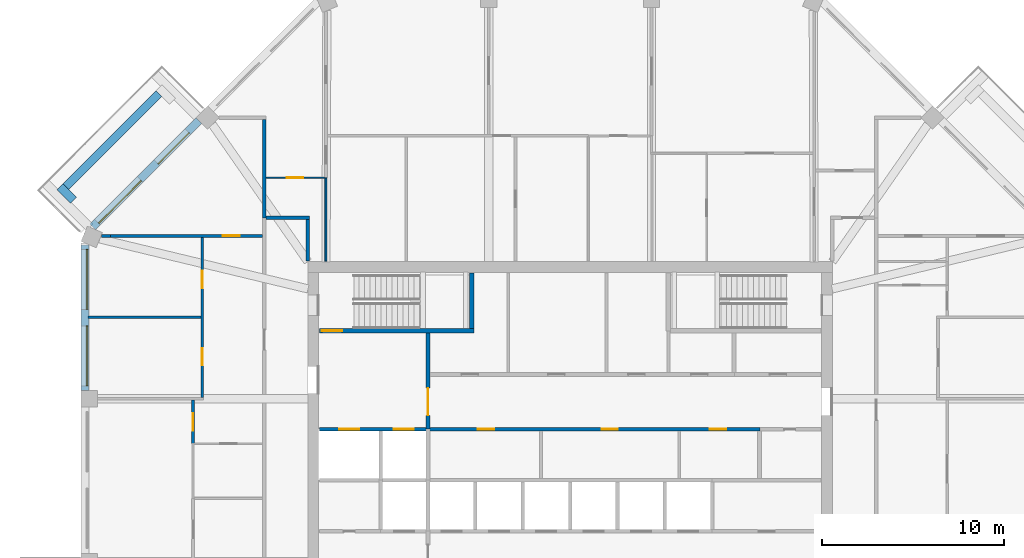
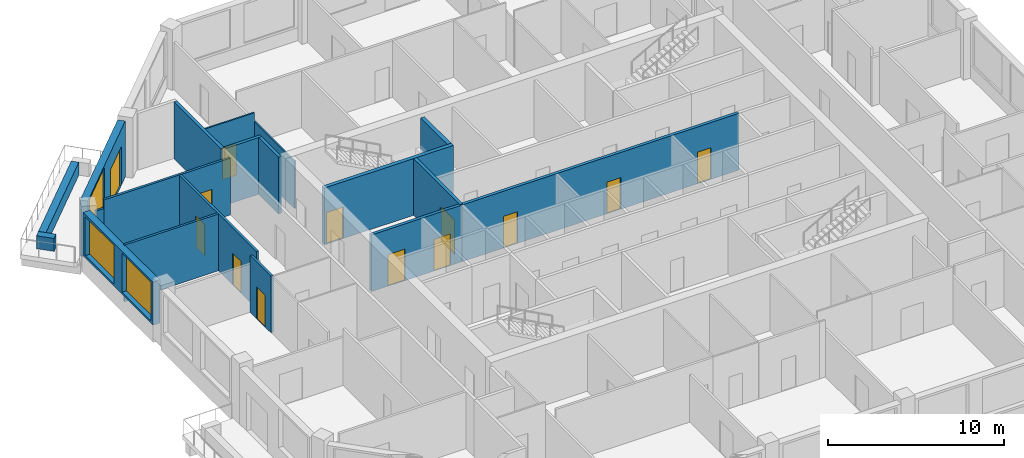
# One storey, part 7 of 11: 19 walls, 13 doors, 3 windows, 16 openings.
"""IFC4 building model written with IfcOpenShell, lengths in metres."""

from ifc_helpers import new_model, si_unit, direction, frame, frame_2d, origin, place, context, subcontext, project, spatial, rectangle, extrude, material, layer, layer_set, type_object, element, fill, save


model = new_model("IFC4")

# Units and contexts
model_context = context("Model", 3, precision=1e-05, world=origin(), true_north=direction((0.0, 1.0)))
body_context = subcontext(model_context, "Body", "Model", "MODEL_VIEW")
ifc_project = project(units=[si_unit("LENGTHUNIT", "METRE"), si_unit("AREAUNIT", "SQUARE_METRE"), si_unit("VOLUMEUNIT", "CUBIC_METRE"), si_unit("PLANEANGLEUNIT", "RADIAN"), si_unit("MASSUNIT", "GRAM", prefix="KILO")], contexts=[model_context])

# Site, building, storey
site_placement = place(None, origin())
site = spatial("IfcSite", under=ifc_project, at=site_placement, CompositionType="ELEMENT")
building_placement = place(site_placement, origin())
building = spatial("IfcBuilding", under=site, at=building_placement, Name="Msitu Wima Residences", CompositionType="ELEMENT")
storey_placement = place(building_placement, frame((0.0, 0.0, 293.699951171875)))
storey = spatial("IfcBuildingStorey", under=building, at=storey_placement, Name="L68", CompositionType="ELEMENT", Elevation=293.699951171875)

# Walls
ifc_material_1 = material(Name="Facing brick")
ifc_layer_1 = layer(ifc_material_1, 0.06494140625, Name="Facing brick")
ifc_material_2 = material(Name="Concrete C40/50", Category="concrete")
ifc_layer_2 = layer(ifc_material_2, 0.156005859375, Name="Concrete C40/50")
ifc_material_3 = material(Name="Waterproofing membrane")
ifc_layer_3 = layer(ifc_material_3, 0.00390625, Name="Waterproofing membrane")
ifc_material_4 = material(Name="Planting soil and planting")
ifc_layer_4 = layer(ifc_material_4, 0.22509765625, Name="Planting soil and planting")
ifc_layer_set_1 = layer_set([ifc_layer_1, ifc_layer_2, ifc_layer_3, ifc_layer_4], Name="Concrete C40/50")
wall_type_1 = type_object("IfcWallType", Name="Balcony planter PLANTER PL450", PredefinedType="USERDEFINED", material=ifc_layer_set_1)
wall_1_placement = place(storey_placement, frame((-22.572265625, 21.228759765625, 0.0), z_axis=(0.0, 0.0, 1.0), x_axis=(-0.707106781187, -0.707106781187, 0.0)))
element("IfcWall", 1, at=wall_1_placement, inside=storey, type_object=wall_type_1, Name="Balcony planter NW1 L68", ObjectType="PLANTER", PredefinedType="USERDEFINED", context=body_context, shape_type="SweptSolid", body=[
    extrude(rectangle(XDim=7.23828125, YDim=0.449951171875, at=frame_2d((3.619140625, 0.0))), origin(), (0.0, 0.0, 1.0), 0.900146484375),
])
wall_2_placement = place(storey_placement, frame((-27.26611328125, 15.3681640625, 0.0), z_axis=(0.0, 0.0, 1.0), x_axis=(-0.707223014731, 0.706990528533, 0.0)))
element("IfcWall", 2, at=wall_2_placement, inside=storey, type_object=wall_type_1, Name="Balcony planter NW1 L68", ObjectType="PLANTER", PredefinedType="USERDEFINED", context=body_context, shape_type="SweptSolid", body=[
    extrude(rectangle(XDim=1.050048828125, YDim=0.449951171875, at=frame_2d((0.52490234375, 0.0))), origin(), (0.0, 0.0, 1.0), 0.900146484375),
])

# Wall, openings, door, window
ifc_material_5 = material(Name="Brick (red buff mix)", Category="masonry")
ifc_layer_5 = layer(ifc_material_5, 0.449951171875)
ifc_layer_set_2 = layer_set([ifc_layer_5], Name="Brick (red buff mix)")
wall_type_2 = type_object("IfcWallType", Name="Brick infill wall BW450", PredefinedType="SOLIDWALL", material=ifc_layer_set_2)
wall_3_placement = place(storey_placement, frame((-20.380126953125, 19.743896484375, 0.0), z_axis=(0.0, 0.0, 1.0), x_axis=(-0.707106781187, -0.707106781187, 0.0)))
wall_3 = element("IfcWall", 3, at=wall_3_placement, inside=storey, type_object=wall_type_2, Name="Brick infill wall L68 NW1", PredefinedType="SOLIDWALL", context=body_context, shape_type="SweptSolid", body=[
    extrude(rectangle(XDim=8.251220703125, YDim=0.449951171875, at=frame_2d((4.12548828125, 0.0))), origin(), (0.0, 0.0, 1.0), 3.900146484375),
])
opening_1_placement = place(wall_3_placement, frame((0.86279296875, 0.0, 0.0)))
opening_1 = element("IfcOpeningElement", 4, at=opening_1_placement, cuts=wall_3, Name="Opening D68-70.004", PredefinedType="OPENING", context=body_context, shape_type="SweptSolid", body=[
    extrude(rectangle(XDim=2.39990234375, YDim=2.699951171875, at=frame_2d((1.199951171875, 1.35009765625))), frame((0.0, 0.23486328125, 0.0), z_axis=(0.0, -1.0, 0.0), x_axis=(1.0, 0.0, 0.0)), (0.0, 0.0, 1.0), 0.469970703125),
])
opening_2_placement = place(wall_3_placement, frame((4.57568359375, 0.0, 1.050048828125)))
opening_2 = element("IfcOpeningElement", 5, at=opening_2_placement, cuts=wall_3, Name="Opening W68-70.016", PredefinedType="OPENING", context=body_context, shape_type="SweptSolid", body=[
    extrude(rectangle(XDim=3.300048828125, YDim=2.699951171875, at=frame_2d((1.64990234375, 1.35009765625))), frame((0.0, 0.23486328125, 0.0), z_axis=(0.0, -1.0, 0.0), x_axis=(1.0, 0.0, 0.0)), (0.0, 0.0, 1.0), 0.469970703125),
])
ifc_material_6 = material(Name="Anodised aluminium, bronze finish, clear low-emissivity double glazing", Category="aluminium")
door_type_1 = type_object("IfcDoorType", Name="Balcony door D2400x2700", OperationType="SLIDING_TO_LEFT", PredefinedType="DOOR", material=ifc_material_6)
door_1_placement = place(opening_1_placement, origin())
door_1 = element("IfcDoor", 6, at=door_1_placement, inside=storey, type_object=door_type_1, Name="Balcony door L68 NW1", OperationType="SINGLE_SWING_LEFT", OverallHeight=2.699951171875, OverallWidth=2.39990234375, PredefinedType="DOOR", context=body_context, shape_type="SweptSolid", body=[
    extrude(rectangle(XDim=2.39990234375, YDim=2.699951171875, at=frame_2d((1.199951171875, 1.35009765625))), frame((0.0, 0.1298828125, 0.0), z_axis=(0.0, -1.0, 0.0), x_axis=(1.0, 0.0, 0.0)), (0.0, 0.0, 1.0), 0.050048828125),
])
fill(opening_1, door_1)
window_type = type_object("IfcWindowType", Name="Window W3300x2700", PartitioningType="DOUBLE_PANEL_VERTICAL", PredefinedType="WINDOW", material=ifc_material_6)
window_1_placement = place(opening_2_placement, origin())
window_1 = element("IfcWindow", 7, at=window_1_placement, inside=storey, type_object=window_type, Name="Window L68 NW1.2", OverallHeight=2.699951171875, OverallWidth=3.300048828125, PartitioningType="SINGLE_PANEL", PredefinedType="WINDOW", context=body_context, shape_type="SweptSolid", body=[
    extrude(rectangle(XDim=3.300048828125, YDim=2.699951171875, at=frame_2d((1.64990234375, 1.35009765625))), frame((0.0, 0.135009765625, 0.0), z_axis=(0.0, -1.0, 0.0), x_axis=(1.0, 0.0, 0.0)), (0.0, 0.0, 1.0), 0.06005859375),
])
fill(opening_2, window_1)

# Wall, openings, windows
wall_4_placement = place(storey_placement, frame((-26.625, 12.918701171875, 0.900146484375), z_axis=(0.0, 0.0, 1.0), x_axis=(0.0, -1.0, 0.0)))
wall_4 = element("IfcWall", 8, at=wall_4_placement, inside=storey, type_object=wall_type_2, Name="Brick infill wall L68 W0", PredefinedType="SOLIDWALL", context=body_context, shape_type="SweptSolid", body=[
    extrude(rectangle(XDim=8.0, YDim=0.449951171875, at=frame_2d((4.0, 0.0))), origin(), (0.0, 0.0, 1.0), 3.0),
])
opening_3_placement = place(wall_4_placement, frame((0.25, 0.0, 0.14990234375)))
opening_3 = element("IfcOpeningElement", 9, at=opening_3_placement, cuts=wall_4, Name="Opening W68-70.029", PredefinedType="OPENING", context=body_context, shape_type="SweptSolid", body=[
    extrude(rectangle(XDim=3.300048828125, YDim=2.699951171875, at=frame_2d((1.64990234375, 1.35009765625))), frame((0.0, 0.23486328125, 0.0), z_axis=(0.0, -1.0, 0.0), x_axis=(1.0, 0.0, 0.0)), (0.0, 0.0, 1.0), 0.469970703125),
])
opening_4_placement = place(wall_4_placement, frame((4.4501953125, 0.0, 0.14990234375)))
opening_4 = element("IfcOpeningElement", 10, at=opening_4_placement, cuts=wall_4, Name="Opening W68-70.030", PredefinedType="OPENING", context=body_context, shape_type="SweptSolid", body=[
    extrude(rectangle(XDim=3.300048828125, YDim=2.699951171875, at=frame_2d((1.64990234375, 1.35009765625))), frame((0.0, 0.23486328125, 0.0), z_axis=(0.0, -1.0, 0.0), x_axis=(1.0, 0.0, 0.0)), (0.0, 0.0, 1.0), 0.469970703125),
])
window_2_placement = place(opening_3_placement, origin())
window_2 = element("IfcWindow", 11, at=window_2_placement, inside=storey, type_object=window_type, Name="Window L68 W0.1", OverallHeight=2.699951171875, OverallWidth=3.300048828125, PartitioningType="SINGLE_PANEL", PredefinedType="WINDOW", context=body_context, shape_type="SweptSolid", body=[
    extrude(rectangle(XDim=3.300048828125, YDim=2.699951171875, at=frame_2d((1.64990234375, 1.35009765625))), frame((0.0, 0.135009765625, 0.0), z_axis=(0.0, -1.0, 0.0), x_axis=(1.0, 0.0, 0.0)), (0.0, 0.0, 1.0), 0.06005859375),
])
fill(opening_3, window_2)
window_3_placement = place(opening_4_placement, origin())
window_3 = element("IfcWindow", 12, at=window_3_placement, inside=storey, type_object=window_type, Name="Window L68 W0.2", OverallHeight=2.699951171875, OverallWidth=3.300048828125, PartitioningType="SINGLE_PANEL", PredefinedType="WINDOW", context=body_context, shape_type="SweptSolid", body=[
    extrude(rectangle(XDim=3.300048828125, YDim=2.699951171875, at=frame_2d((1.64990234375, 1.35009765625))), frame((0.0, 0.135009765625, 0.0), z_axis=(0.0, -1.0, 0.0), x_axis=(1.0, 0.0, 0.0)), (0.0, 0.0, 1.0), 0.06005859375),
])
fill(opening_4, window_3)

# Walls
ifc_material_7 = material(Name="Plaster")
ifc_layer_6 = layer(ifc_material_7, 0.011962890625, Name="Plaster")
ifc_material_8 = material(Name="Concrete blockwork", Category="masonry")
ifc_layer_7 = layer(ifc_material_8, 0.176025390625, Name="Concrete blockwork")
ifc_layer_8 = layer(ifc_material_7, 0.011962890625, Name="Plaster")
ifc_layer_set_3 = layer_set([ifc_layer_6, ifc_layer_7, ifc_layer_8], Name="Concrete blockwork")
wall_type_3 = type_object("IfcWallType", Name="Corridor wall FW200", PredefinedType="PARTITIONING", material=ifc_layer_set_3)
wall_5_placement = place(storey_placement, frame((-16.699951171875, 14.39990234375, 0.0), z_axis=(0.0, 0.0, 1.0), x_axis=(1.0, 0.0, 0.0)))
element("IfcWall", 13, at=wall_5_placement, inside=storey, type_object=wall_type_3, Name="Corridor wall", PredefinedType="PARTITIONING", context=body_context, shape_type="SweptSolid", body=[
    extrude(rectangle(XDim=2.39990234375, YDim=0.199951171875, at=frame_2d((1.199951171875, 0.0))), origin(), (0.0, 0.0, 1.0), 3.949951171875),
])
wall_6_placement = place(storey_placement, frame((-14.39990234375, 12.030029296875, 0.0), z_axis=(0.0, 0.0, 1.0), x_axis=(0.0, 1.0, 0.0)))
element("IfcWall", 14, at=wall_6_placement, inside=storey, type_object=wall_type_3, Name="Corridor wall", PredefinedType="PARTITIONING", context=body_context, shape_type="SweptSolid", body=[
    extrude(rectangle(XDim=2.27001953125, YDim=0.199951171875, at=frame_2d((1.135009765625, 0.0))), origin(), (0.0, 0.0, 1.0), 3.949951171875),
])

# Wall, openings, doors
wall_7_placement = place(storey_placement, frame((-7.820068359375, 2.800048828125, 0.0), z_axis=(0.0, 0.0, 1.0), x_axis=(1.0, 0.0, 0.0)))
wall_7 = element("IfcWall", 15, at=wall_7_placement, inside=storey, type_object=wall_type_3, Name="Corridor wall", PredefinedType="PARTITIONING", context=body_context, shape_type="SweptSolid", body=[
    extrude(rectangle(XDim=18.239990234375, YDim=0.199951171875, at=frame_2d((9.1201171875, 0.0))), origin(), (0.0, 0.0, 1.0), 3.949951171875),
])
opening_5_placement = place(wall_7_placement, frame((2.75, 0.0, 0.0)))
opening_5 = element("IfcOpeningElement", 16, at=opening_5_placement, cuts=wall_7, Name="Opening D68-70.073", PredefinedType="OPENING", context=body_context, shape_type="SweptSolid", body=[
    extrude(rectangle(XDim=0.89990234375, YDim=2.199951171875, at=frame_2d((0.449951171875, 1.10009765625))), frame((0.0, 0.10986328125, 0.0), z_axis=(0.0, -1.0, 0.0), x_axis=(1.0, 0.0, 0.0)), (0.0, 0.0, 1.0), 0.219970703125),
])
opening_6_placement = place(wall_7_placement, frame((9.550048828125, 0.0, 0.0)))
opening_6 = element("IfcOpeningElement", 17, at=opening_6_placement, cuts=wall_7, Name="Opening D68-70.074", PredefinedType="OPENING", context=body_context, shape_type="SweptSolid", body=[
    extrude(rectangle(XDim=0.89990234375, YDim=2.199951171875, at=frame_2d((0.449951171875, 1.10009765625))), frame((0.0, 0.10986328125, 0.0), z_axis=(0.0, -1.0, 0.0), x_axis=(1.0, 0.0, 0.0)), (0.0, 0.0, 1.0), 0.219970703125),
])
opening_7_placement = place(wall_7_placement, frame((15.5, 0.0, 0.0)))
opening_7 = element("IfcOpeningElement", 18, at=opening_7_placement, cuts=wall_7, Name="Opening D68-70.075", PredefinedType="OPENING", context=body_context, shape_type="SweptSolid", body=[
    extrude(rectangle(XDim=0.89990234375, YDim=2.199951171875, at=frame_2d((0.449951171875, 1.10009765625))), frame((0.0, 0.10986328125, 0.0), z_axis=(0.0, -1.0, 0.0), x_axis=(1.0, 0.0, 0.0)), (0.0, 0.0, 1.0), 0.219970703125),
])
ifc_material_9 = material(Name="Timber flush door", Category="wood")
door_type_2 = type_object("IfcDoorType", Name="Service door D05 900x2200", OperationType="SINGLE_SWING_LEFT", PredefinedType="DOOR", material=ifc_material_9)
door_2_placement = place(opening_5_placement, origin())
door_2 = element("IfcDoor", 19, at=door_2_placement, inside=storey, type_object=door_type_2, Name="Service door", OperationType="SINGLE_SWING_LEFT", OverallHeight=2.199951171875, OverallWidth=0.89990234375, PredefinedType="DOOR", context=body_context, shape_type="SweptSolid", body=[
    extrude(rectangle(XDim=0.89990234375, YDim=2.199951171875, at=frame_2d((0.449951171875, 1.10009765625))), frame((0.0, 0.02490234375, 0.0), z_axis=(0.0, -1.0, 0.0), x_axis=(1.0, 0.0, 0.0)), (0.0, 0.0, 1.0), 0.050048828125),
])
fill(opening_5, door_2)
door_3_placement = place(opening_6_placement, origin())
door_3 = element("IfcDoor", 20, at=door_3_placement, inside=storey, type_object=door_type_2, Name="Service door", OperationType="SINGLE_SWING_LEFT", OverallHeight=2.199951171875, OverallWidth=0.89990234375, PredefinedType="DOOR", context=body_context, shape_type="SweptSolid", body=[
    extrude(rectangle(XDim=0.89990234375, YDim=2.199951171875, at=frame_2d((0.449951171875, 1.10009765625))), frame((0.0, 0.02490234375, 0.0), z_axis=(0.0, -1.0, 0.0), x_axis=(1.0, 0.0, 0.0)), (0.0, 0.0, 1.0), 0.050048828125),
])
fill(opening_6, door_3)
door_4_placement = place(opening_7_placement, origin())
door_4 = element("IfcDoor", 21, at=door_4_placement, inside=storey, type_object=door_type_2, Name="Service door", OperationType="SINGLE_SWING_RIGHT", OverallHeight=2.199951171875, OverallWidth=0.89990234375, PredefinedType="DOOR", context=body_context, shape_type="SweptSolid", body=[
    extrude(rectangle(XDim=0.89990234375, YDim=2.199951171875, at=frame_2d((0.449951171875, 1.10009765625))), frame((0.0, 0.02490234375, 0.0), z_axis=(0.0, -1.0, 0.0), x_axis=(1.0, 0.0, 0.0)), (0.0, 0.0, 1.0), 0.050048828125),
])
fill(opening_7, door_4)

# Wall, opening, door
wall_8_placement = place(storey_placement, frame((-7.800048828125, 2.800048828125, 0.0), z_axis=(0.0, 0.0, 1.0), x_axis=(0.0, 1.0, 0.0)))
wall_8 = element("IfcWall", 22, at=wall_8_placement, inside=storey, type_object=wall_type_3, Name="Corridor wall", PredefinedType="PARTITIONING", context=body_context, shape_type="SweptSolid", body=[
    extrude(rectangle(XDim=5.27490234375, YDim=0.199951171875, at=frame_2d((2.637451171875, 0.0))), origin(), (0.0, 0.0, 1.0), 3.949951171875),
])
opening_8_placement = place(wall_8_placement, frame((0.75, 0.0, 0.0)))
opening_8 = element("IfcOpeningElement", 23, at=opening_8_placement, cuts=wall_8, Name="Opening D68-70.059", PredefinedType="OPENING", context=body_context, shape_type="SweptSolid", body=[
    extrude(rectangle(XDim=1.5, YDim=2.39990234375, at=frame_2d((0.75, 1.199951171875))), frame((0.0, 0.10986328125, 0.0), z_axis=(0.0, -1.0, 0.0), x_axis=(1.0, 0.0, 0.0)), (0.0, 0.0, 1.0), 0.219970703125),
])
ifc_material_10 = material(Name="Steel framed glazed door, fire resisting", Category="steel")
door_type_3 = type_object("IfcDoorType", Name="Lobby door D07 1500x2400", OperationType="DOUBLE_DOOR_SINGLE_SWING", PredefinedType="DOOR", material=ifc_material_10)
door_5_placement = place(opening_8_placement, origin())
door_5 = element("IfcDoor", 24, at=door_5_placement, inside=storey, type_object=door_type_3, Name="Lobby door", OperationType="DOUBLE_DOOR_SINGLE_SWING", OverallHeight=2.39990234375, OverallWidth=1.5, PredefinedType="DOOR", context=body_context, shape_type="SweptSolid", body=[
    extrude(rectangle(XDim=1.5, YDim=2.39990234375, at=frame_2d((0.75, 1.199951171875))), frame((0.0, 0.02490234375, 0.0), z_axis=(0.0, -1.0, 0.0), x_axis=(1.0, 0.0, 0.0)), (0.0, 0.0, 1.0), 0.050048828125),
])
fill(opening_8, door_5)

# Walls
ifc_layer_9 = layer(ifc_material_7, 0.011962890625, Name="Plaster")
ifc_layer_10 = layer(ifc_material_8, 0.1259765625, Name="Concrete blockwork")
ifc_layer_11 = layer(ifc_material_7, 0.011962890625, Name="Plaster")
ifc_layer_set_4 = layer_set([ifc_layer_9, ifc_layer_10, ifc_layer_11], Name="Concrete blockwork")
wall_type_4 = type_object("IfcWallType", Name="Partition PW150", PredefinedType="PARTITIONING", material=ifc_layer_set_4)
wall_9_placement = place(storey_placement, frame((-26.455078125, 8.937255859375, 0.0), z_axis=(0.0, 0.0, 1.0), x_axis=(1.0, 0.0, 0.0)))
element("IfcWall", 25, at=wall_9_placement, inside=storey, type_object=wall_type_4, Name="Partition", PredefinedType="PARTITIONING", context=body_context, shape_type="SweptSolid", body=[
    extrude(rectangle(XDim=6.18017578125, YDim=0.14990234375, at=frame_2d((3.090087890625, 0.0))), origin(), (0.0, 0.0, 1.0), 3.949951171875),
])
wall_10_placement = place(storey_placement, frame((-25.731201171875, 13.406005859375, 0.0), z_axis=(0.0, 0.0, 1.0), x_axis=(1.0, 0.0, 0.0)))
element("IfcWall", 26, at=wall_10_placement, inside=storey, type_object=wall_type_4, Name="Partition", PredefinedType="PARTITIONING", context=body_context, shape_type="SweptSolid", body=[
    extrude(rectangle(XDim=0.507080078125, YDim=0.14990234375, at=frame_2d((0.25341796875, 0.0))), origin(), (0.0, 0.0, 1.0), 3.35009765625),
])

# Wall, opening, door
wall_11_placement = place(storey_placement, frame((-25.22412109375, 13.406005859375, 0.0), z_axis=(0.0, 0.0, 1.0), x_axis=(1.0, 0.0, 0.0)))
wall_11 = element("IfcWall", 27, at=wall_11_placement, inside=storey, type_object=wall_type_4, Name="Partition", PredefinedType="PARTITIONING", context=body_context, shape_type="SweptSolid", body=[
    extrude(rectangle(XDim=8.32421875, YDim=0.14990234375, at=frame_2d((4.162109375, 0.0))), origin(), (0.0, 0.0, 1.0), 3.949951171875),
])
opening_9_placement = place(wall_11_placement, frame((6.142822265625, 0.0, 0.0)))
opening_9 = element("IfcOpeningElement", 28, at=opening_9_placement, cuts=wall_11, Name="Opening D68-70.035", PredefinedType="OPENING", context=body_context, shape_type="SweptSolid", body=[
    extrude(rectangle(XDim=0.949951171875, YDim=2.199951171875, at=frame_2d((0.47509765625, 1.10009765625))), frame((0.0, 0.0849609375, 0.0), z_axis=(0.0, -1.0, 0.0), x_axis=(1.0, 0.0, 0.0)), (0.0, 0.0, 1.0), 0.169921875),
])
door_type_4 = type_object("IfcDoorType", Name="Room door D12 950x2200", OperationType="SINGLE_SWING_LEFT", PredefinedType="DOOR", material=ifc_material_9)
door_6_placement = place(opening_9_placement, origin())
door_6 = element("IfcDoor", 29, at=door_6_placement, inside=storey, type_object=door_type_4, Name="Room door", OperationType="SINGLE_SWING_RIGHT", OverallHeight=2.199951171875, OverallWidth=0.949951171875, PredefinedType="DOOR", context=body_context, shape_type="SweptSolid", body=[
    extrude(rectangle(XDim=0.949951171875, YDim=2.199951171875, at=frame_2d((0.47509765625, 1.10009765625))), frame((0.0, 0.02490234375, 0.0), z_axis=(0.0, -1.0, 0.0), x_axis=(1.0, 0.0, 0.0)), (0.0, 0.0, 1.0), 0.050048828125),
])
fill(opening_9, door_6)

wall_12_placement = place(storey_placement, frame((-20.699951171875, 2.02001953125, 0.0), z_axis=(0.0, 0.0, 1.0), x_axis=(0.0, 1.0, 0.0)))
wall_12 = element("IfcWall", 30, at=wall_12_placement, inside=storey, type_object=wall_type_4, Name="Partition", PredefinedType="PARTITIONING", context=body_context, shape_type="SweptSolid", body=[
    extrude(rectangle(XDim=2.37353515625, YDim=0.14990234375, at=frame_2d((1.186767578125, 0.0))), origin(), (0.0, 0.0, 1.0), 3.949951171875),
])
opening_10_placement = place(wall_12_placement, frame((0.699951171875, 0.0, 0.0)))
opening_10 = element("IfcOpeningElement", 31, at=opening_10_placement, cuts=wall_12, Name="Opening D68-70.039", PredefinedType="OPENING", context=body_context, shape_type="SweptSolid", body=[
    extrude(rectangle(XDim=0.949951171875, YDim=2.199951171875, at=frame_2d((0.47509765625, 1.10009765625))), frame((0.0, 0.0849609375, 0.0), z_axis=(0.0, -1.0, 0.0), x_axis=(1.0, 0.0, 0.0)), (0.0, 0.0, 1.0), 0.169921875),
])
door_7_placement = place(opening_10_placement, origin())
door_7 = element("IfcDoor", 32, at=door_7_placement, inside=storey, type_object=door_type_4, Name="Room door", OperationType="SINGLE_SWING_RIGHT", OverallHeight=2.199951171875, OverallWidth=0.949951171875, PredefinedType="DOOR", context=body_context, shape_type="SweptSolid", body=[
    extrude(rectangle(XDim=0.949951171875, YDim=2.199951171875, at=frame_2d((0.47509765625, 1.10009765625))), frame((0.0, 0.02490234375, 0.0), z_axis=(0.0, -1.0, 0.0), x_axis=(1.0, 0.0, 0.0)), (0.0, 0.0, 1.0), 0.050048828125),
])
fill(opening_10, door_7)

# Wall, openings, doors
wall_13_placement = place(storey_placement, frame((-20.199951171875, 4.543701171875, 0.0), z_axis=(0.0, 0.0, 1.0), x_axis=(0.0, 1.0, 0.0)))
wall_13 = element("IfcWall", 33, at=wall_13_placement, inside=storey, type_object=wall_type_4, Name="Partition", PredefinedType="PARTITIONING", context=body_context, shape_type="SweptSolid", body=[
    extrude(rectangle(XDim=8.787109375, YDim=0.14990234375, at=frame_2d((4.3935546875, 0.0))), origin(), (0.0, 0.0, 1.0), 3.949951171875),
])
opening_11_placement = place(wall_13_placement, frame((6.0, 0.0, 0.0)))
opening_11 = element("IfcOpeningElement", 34, at=opening_11_placement, cuts=wall_13, Name="Opening D68-70.037", PredefinedType="OPENING", context=body_context, shape_type="SweptSolid", body=[
    extrude(rectangle(XDim=0.949951171875, YDim=2.199951171875, at=frame_2d((0.47509765625, 1.10009765625))), frame((0.0, 0.0849609375, 0.0), z_axis=(0.0, -1.0, 0.0), x_axis=(1.0, 0.0, 0.0)), (0.0, 0.0, 1.0), 0.169921875),
])
opening_12_placement = place(wall_13_placement, frame((1.75, 0.0, 0.0)))
opening_12 = element("IfcOpeningElement", 35, at=opening_12_placement, cuts=wall_13, Name="Opening D68-70.038", PredefinedType="OPENING", context=body_context, shape_type="SweptSolid", body=[
    extrude(rectangle(XDim=0.949951171875, YDim=2.199951171875, at=frame_2d((0.47509765625, 1.10009765625))), frame((0.0, 0.0849609375, 0.0), z_axis=(0.0, -1.0, 0.0), x_axis=(1.0, 0.0, 0.0)), (0.0, 0.0, 1.0), 0.169921875),
])
door_8_placement = place(opening_11_placement, origin())
door_8 = element("IfcDoor", 36, at=door_8_placement, inside=storey, type_object=door_type_4, Name="Room door", OperationType="SINGLE_SWING_LEFT", OverallHeight=2.199951171875, OverallWidth=0.949951171875, PredefinedType="DOOR", context=body_context, shape_type="SweptSolid", body=[
    extrude(rectangle(XDim=0.949951171875, YDim=2.199951171875, at=frame_2d((0.47509765625, 1.10009765625))), frame((0.0, 0.02490234375, 0.0), z_axis=(0.0, -1.0, 0.0), x_axis=(1.0, 0.0, 0.0)), (0.0, 0.0, 1.0), 0.050048828125),
])
fill(opening_11, door_8)
door_9_placement = place(opening_12_placement, origin())
door_9 = element("IfcDoor", 37, at=door_9_placement, inside=storey, type_object=door_type_4, Name="Room door", OperationType="SINGLE_SWING_RIGHT", OverallHeight=2.199951171875, OverallWidth=0.949951171875, PredefinedType="DOOR", context=body_context, shape_type="SweptSolid", body=[
    extrude(rectangle(XDim=0.949951171875, YDim=2.199951171875, at=frame_2d((0.47509765625, 1.10009765625))), frame((0.0, 0.02490234375, 0.0), z_axis=(0.0, -1.0, 0.0), x_axis=(1.0, 0.0, 0.0)), (0.0, 0.0, 1.0), 0.050048828125),
])
fill(opening_12, door_9)

# Wall
ifc_layer_12 = layer(ifc_material_7, 0.011962890625, Name="Plaster")
ifc_material_11 = material(Name="Dense concrete blockwork", Category="masonry")
ifc_layer_13 = layer(ifc_material_11, 0.176025390625, Name="Dense concrete blockwork")
ifc_layer_14 = layer(ifc_material_7, 0.011962890625, Name="Plaster")
ifc_layer_set_5 = layer_set([ifc_layer_12, ifc_layer_13, ifc_layer_14], Name="Dense concrete blockwork")
wall_type_5 = type_object("IfcWallType", Name="Party wall PW200", PredefinedType="PARTITIONING", material=ifc_layer_set_5)
wall_14_placement = place(storey_placement, frame((-16.800048828125, 14.39990234375, 0.0), z_axis=(0.0, 0.0, 1.0), x_axis=(0.0, 1.0, 0.0)))
element("IfcWall", 38, at=wall_14_placement, inside=storey, type_object=wall_type_5, Name="Party wall", PredefinedType="PARTITIONING", context=body_context, shape_type="SweptSolid", body=[
    extrude(rectangle(XDim=5.403076171875, YDim=0.199951171875, at=frame_2d((2.70166015625, 0.0))), origin(), (0.0, 0.0, 1.0), 3.949951171875),
])

# Wall, openings, doors
ifc_material_12 = material(Name="Fire-rated board")
ifc_layer_15 = layer(ifc_material_12, 0.02490234375, Name="Fire-rated board")
ifc_material_13 = material(Name="Light-gauge stud framing with mineral wool")
ifc_layer_16 = layer(ifc_material_13, 0.14990234375, Name="Light-gauge stud framing with mineral wool")
ifc_layer_17 = layer(ifc_material_12, 0.02490234375, Name="Fire-rated board")
ifc_layer_set_6 = layer_set([ifc_layer_15, ifc_layer_16, ifc_layer_17], Name="Light-gauge stud framing with mineral wool")
wall_type_6 = type_object("IfcWallType", Name="Shaft wall SH200", PredefinedType="PARTITIONING", material=ifc_layer_set_6)
wall_15_placement = place(storey_placement, frame((-13.77001953125, 2.800048828125, 0.0), z_axis=(0.0, 0.0, 1.0), x_axis=(1.0, 0.0, 0.0)))
wall_15 = element("IfcWall", 39, at=wall_15_placement, inside=storey, type_object=wall_type_6, Name="Shaft wall", PredefinedType="PARTITIONING", context=body_context, shape_type="SweptSolid", body=[
    extrude(rectangle(XDim=5.949951171875, YDim=0.199951171875, at=frame_2d((2.97509765625, 0.0))), origin(), (0.0, 0.0, 1.0), 3.949951171875),
])
opening_13_placement = place(wall_15_placement, frame((1.10009765625, 0.0, 0.0)))
opening_13 = element("IfcOpeningElement", 40, at=opening_13_placement, cuts=wall_15, Name="Opening LD", PredefinedType="OPENING", context=body_context, shape_type="SweptSolid", body=[
    extrude(rectangle(XDim=1.10009765625, YDim=2.199951171875, at=frame_2d((0.550048828125, 1.10009765625))), frame((0.0, 0.10986328125, 0.0), z_axis=(0.0, -1.0, 0.0), x_axis=(1.0, 0.0, 0.0)), (0.0, 0.0, 1.0), 0.219970703125),
])
opening_14_placement = place(wall_15_placement, frame((4.10009765625, 0.0, 0.0)))
opening_14 = element("IfcOpeningElement", 41, at=opening_14_placement, cuts=wall_15, Name="Opening LD", PredefinedType="OPENING", context=body_context, shape_type="SweptSolid", body=[
    extrude(rectangle(XDim=1.10009765625, YDim=2.199951171875, at=frame_2d((0.550048828125, 1.10009765625))), frame((0.0, 0.10986328125, 0.0), z_axis=(0.0, -1.0, 0.0), x_axis=(1.0, 0.0, 0.0)), (0.0, 0.0, 1.0), 0.219970703125),
])
ifc_material_14 = material(Name="Stainless steel centre-opening landing door, rated", Category="steel")
door_type_5 = type_object("IfcDoorType", Name="Lift landing door LD 1100x2200", OperationType="DOUBLE_DOOR_SLIDING", PredefinedType="DOOR", material=ifc_material_14)
door_10_placement = place(opening_13_placement, origin())
door_10 = element("IfcDoor", 42, at=door_10_placement, inside=storey, type_object=door_type_5, Name="Lift landing door LD1", OperationType="DOUBLE_DOOR_SLIDING", OverallHeight=2.199951171875, OverallWidth=1.10009765625, PredefinedType="DOOR", context=body_context, shape_type="SweptSolid", body=[
    extrude(rectangle(XDim=1.10009765625, YDim=2.199951171875, at=frame_2d((0.550048828125, 1.10009765625))), frame((0.0, 0.02490234375, 0.0), z_axis=(0.0, -1.0, 0.0), x_axis=(1.0, 0.0, 0.0)), (0.0, 0.0, 1.0), 0.050048828125),
])
fill(opening_13, door_10)
door_11_placement = place(opening_14_placement, origin())
door_11 = element("IfcDoor", 43, at=door_11_placement, inside=storey, type_object=door_type_5, Name="Lift landing door LD2", OperationType="DOUBLE_DOOR_SLIDING", OverallHeight=2.199951171875, OverallWidth=1.10009765625, PredefinedType="DOOR", context=body_context, shape_type="SweptSolid", body=[
    extrude(rectangle(XDim=1.10009765625, YDim=2.199951171875, at=frame_2d((0.550048828125, 1.10009765625))), frame((0.0, 0.02490234375, 0.0), z_axis=(0.0, -1.0, 0.0), x_axis=(1.0, 0.0, 0.0)), (0.0, 0.0, 1.0), 0.050048828125),
])
fill(opening_14, door_11)

# Wall, opening, door
ifc_material_15 = material(Name="Concrete C50/60", Category="concrete")
ifc_layer_18 = layer(ifc_material_15, 0.25)
ifc_layer_set_7 = layer_set([ifc_layer_18], Name="Concrete C50/60")
wall_type_7 = type_object("IfcWallType", Name="Stair enclosure wall SW250", PredefinedType="SHEAR", material=ifc_layer_set_7)
wall_16_placement = place(storey_placement, frame((-13.77001953125, 8.199951171875, 0.0), z_axis=(0.0, 0.0, 1.0), x_axis=(1.0, 0.0, 0.0)))
wall_16 = element("IfcWall", 44, at=wall_16_placement, inside=storey, type_object=wall_type_7, Name="Stair enclosure wall", PredefinedType="SHEAR", context=body_context, shape_type="SweptSolid", body=[
    extrude(rectangle(XDim=8.4951171875, YDim=0.25, at=frame_2d((4.24755859375, 0.0))), origin(), (0.0, 0.0, 1.0), 3.949951171875),
])
opening_15_placement = place(wall_16_placement, frame((0.14990234375, 0.0, 0.0)))
opening_15 = element("IfcOpeningElement", 45, at=opening_15_placement, cuts=wall_16, Name="Opening D68-70.079", PredefinedType="OPENING", context=body_context, shape_type="SweptSolid", body=[
    extrude(rectangle(XDim=1.10009765625, YDim=2.199951171875, at=frame_2d((0.550048828125, 1.10009765625))), frame((0.0, 0.135009765625, 0.0), z_axis=(0.0, -1.0, 0.0), x_axis=(1.0, 0.0, 0.0)), (0.0, 0.0, 1.0), 0.27001953125),
])
ifc_material_16 = material(Name="Steel door, fire resisting, panic bar", Category="steel")
door_type_6 = type_object("IfcDoorType", Name="Stair door D06 1100x2200", OperationType="SINGLE_SWING_LEFT", PredefinedType="DOOR", material=ifc_material_16)
door_12_placement = place(opening_15_placement, origin())
door_12 = element("IfcDoor", 46, at=door_12_placement, inside=storey, type_object=door_type_6, Name="Stair door", OperationType="SINGLE_SWING_LEFT", OverallHeight=2.199951171875, OverallWidth=1.10009765625, PredefinedType="DOOR", context=body_context, shape_type="SweptSolid", body=[
    extrude(rectangle(XDim=1.10009765625, YDim=2.199951171875, at=frame_2d((0.550048828125, 1.10009765625))), frame((0.0, 0.02490234375, 0.0), z_axis=(0.0, -1.0, 0.0), x_axis=(1.0, 0.0, 0.0)), (0.0, 0.0, 1.0), 0.050048828125),
])
fill(opening_15, door_12)

# Wall
wall_17_placement = place(storey_placement, frame((-5.39990234375, 8.324951171875, 0.0), z_axis=(0.0, 0.0, 1.0), x_axis=(0.0, 1.0, 0.0)))
element("IfcWall", 47, at=wall_17_placement, inside=storey, type_object=wall_type_7, Name="Stair enclosure wall", PredefinedType="SHEAR", context=body_context, shape_type="SweptSolid", body=[
    extrude(rectangle(XDim=3.045166015625, YDim=0.25, at=frame_2d((1.5224609375, 0.0))), origin(), (0.0, 0.0, 1.0), 3.949951171875),
])

# Wall, opening, door
ifc_material_17 = material(Name="Ceramic tiles")
ifc_layer_19 = layer(ifc_material_17, 0.008056640625, Name="Ceramic tiles")
ifc_material_18 = material(Name="Moisture-resistant board")
ifc_layer_20 = layer(ifc_material_18, 0.012451171875, Name="Moisture-resistant board")
ifc_layer_21 = layer(ifc_material_13, 0.06689453125, Name="Light-gauge stud framing with mineral wool")
ifc_layer_22 = layer(ifc_material_18, 0.012451171875, Name="Moisture-resistant board")
ifc_layer_set_8 = layer_set([ifc_layer_19, ifc_layer_20, ifc_layer_21, ifc_layer_22], Name="Light-gauge stud framing with mineral wool")
wall_type_8 = type_object("IfcWallType", Name="Wet wall PW100", PredefinedType="PARTITIONING", material=ifc_layer_set_8)
wall_18_placement = place(storey_placement, frame((-16.699951171875, 16.60009765625, 0.0), z_axis=(0.0, 0.0, 1.0), x_axis=(1.0, 0.0, 0.0)))
wall_18 = element("IfcWall", 48, at=wall_18_placement, inside=storey, type_object=wall_type_8, Name="Wet wall", PredefinedType="PARTITIONING", context=body_context, shape_type="SweptSolid", body=[
    extrude(rectangle(XDim=3.218994140625, YDim=0.10009765625, at=frame_2d((1.609375, 0.0))), origin(), (0.0, 0.0, 1.0), 3.949951171875),
])
opening_16_placement = place(wall_18_placement, frame((1.14990234375, 0.0, 0.0)))
opening_16 = element("IfcOpeningElement", 49, at=opening_16_placement, cuts=wall_18, Name="Opening D68-70.025", PredefinedType="OPENING", context=body_context, shape_type="SweptSolid", body=[
    extrude(rectangle(XDim=0.89990234375, YDim=2.199951171875, at=frame_2d((0.449951171875, 1.10009765625))), frame((0.0, 0.06005859375, 0.0), z_axis=(0.0, -1.0, 0.0), x_axis=(1.0, 0.0, 0.0)), (0.0, 0.0, 1.0), 0.1201171875),
])
ifc_material_19 = material(Name="Timber flush door, moisture resistant", Category="wood")
door_type_7 = type_object("IfcDoorType", Name="Bathroom door D03 900x2200", OperationType="SINGLE_SWING_LEFT", PredefinedType="DOOR", material=ifc_material_19)
door_13_placement = place(opening_16_placement, origin())
door_13 = element("IfcDoor", 50, at=door_13_placement, inside=storey, type_object=door_type_7, Name="Bathroom door", OperationType="SINGLE_SWING_RIGHT", OverallHeight=2.199951171875, OverallWidth=0.89990234375, PredefinedType="DOOR", context=body_context, shape_type="SweptSolid", body=[
    extrude(rectangle(XDim=0.89990234375, YDim=2.199951171875, at=frame_2d((0.449951171875, 1.10009765625))), frame((0.0, 0.02490234375, 0.0), z_axis=(0.0, -1.0, 0.0), x_axis=(1.0, 0.0, 0.0)), (0.0, 0.0, 1.0), 0.050048828125),
])
fill(opening_16, door_13)

# Wall
wall_19_placement = place(storey_placement, frame((-13.406005859375, 12.030029296875, 0.0), z_axis=(0.0, 0.0, 1.0), x_axis=(0.0, 1.0, 0.0)))
element("IfcWall", 51, at=wall_19_placement, inside=storey, type_object=wall_type_8, Name="Wet wall", PredefinedType="PARTITIONING", context=body_context, shape_type="SweptSolid", body=[
    extrude(rectangle(XDim=4.570068359375, YDim=0.10009765625, at=frame_2d((2.28515625, 0.0))), origin(), (0.0, 0.0, 1.0), 3.300048828125),
])

save(model, "model.ifc")
